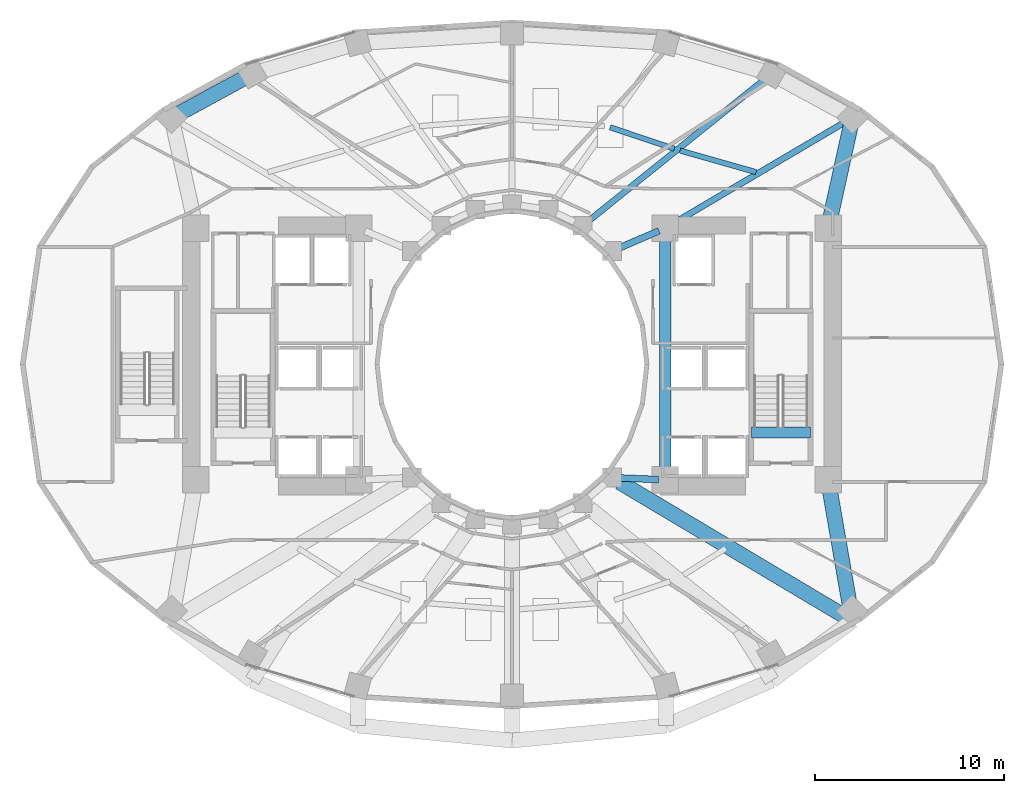
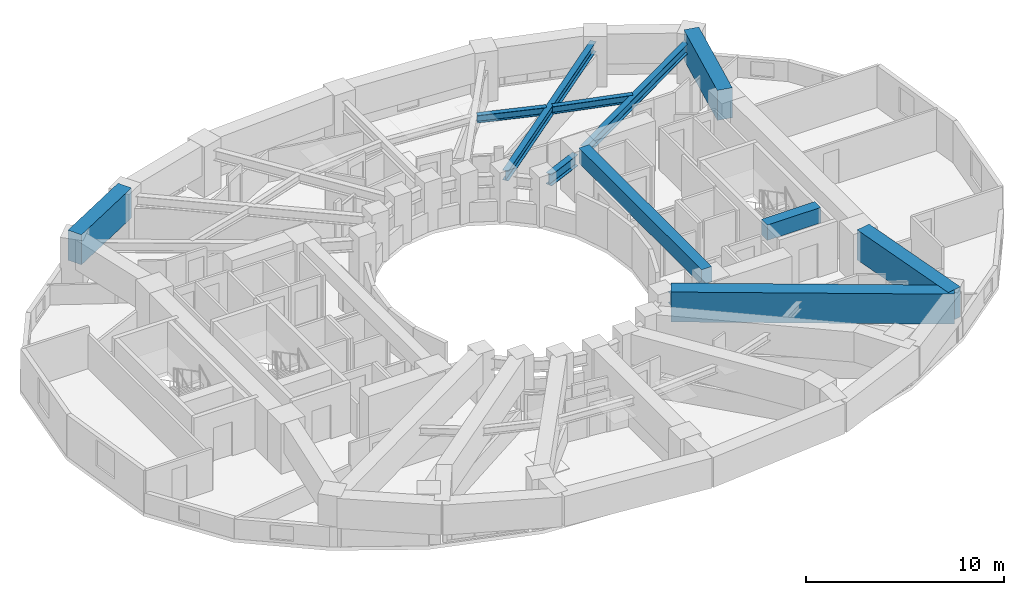
# One storey, part 6 of 17: 12 beams.
"""IFC4 building model written with IfcOpenShell, lengths in metres."""

from ifc_helpers import new_model, si_unit, direction, frame, origin, origin_2d, place, context, subcontext, project, spatial, rectangle, i_section, extrude, material, material_profile, profile_set, type_object, element, save


model = new_model("IFC4")

# Units and contexts
model_context = context("Model", 3, precision=1e-05, world=origin(), true_north=direction((0.0, 1.0)))
body_context = subcontext(model_context, "Body", "Model", "MODEL_VIEW")
ifc_project = project(units=[si_unit("LENGTHUNIT", "METRE"), si_unit("AREAUNIT", "SQUARE_METRE"), si_unit("VOLUMEUNIT", "CUBIC_METRE"), si_unit("PLANEANGLEUNIT", "RADIAN"), si_unit("MASSUNIT", "GRAM", prefix="KILO")], contexts=[model_context])

# Site, building, storey
site_placement = place(None, origin())
site = spatial("IfcSite", under=ifc_project, at=site_placement, CompositionType="ELEMENT")
building_placement = place(site_placement, origin())
building = spatial("IfcBuilding", under=site, at=building_placement, Name="Solvane Sanctuary Tower", CompositionType="ELEMENT")
storey_placement = place(building_placement, frame((0.0, 0.0, 52.39990234375)))
storey = spatial("IfcBuildingStorey", under=building, at=storey_placement, Name="L15", CompositionType="ELEMENT", Elevation=52.39990234375)

# Beams
ifc_material_1 = material(Name="Concrete C70/85", Category="concrete")
ifc_material_profile_1 = material_profile(ifc_material_1, rectangle(XDim=0.60009765625, YDim=0.949951171875, at=origin_2d()), Name="RC600X950")
ifc_profile_set_1 = profile_set([ifc_material_profile_1], Name="Concrete C70/85")
beam_type_1 = type_object("IfcBeamType", Name="Beam B-COUPLE RC600X950", PredefinedType="LINTEL", material=ifc_profile_set_1)
beam_1_placement = place(storey_placement, frame((40.10009765625, 17.35009765625, 2.625), z_axis=(0.0, 1.0, 0.0), x_axis=(-1.0, 0.0, 0.0)))
element("IfcBeam", 1, at=beam_1_placement, inside=storey, type_object=beam_type_1, Name="L15 East Core Coupling Lintel", PredefinedType="LINTEL", context=body_context, shape_type="SweptSolid", body=[
    extrude(rectangle(XDim=0.60009765625, YDim=0.949951171875, at=origin_2d()), origin(), (0.0, 0.0, 1.0), 12.39990234375),
])
beam_2_placement = place(storey_placement, frame((44.64990234375, 19.399169921875, 2.625), z_axis=(1.0, 0.0, 0.0), x_axis=(0.0, 1.0, 0.0)))
element("IfcBeam", 2, at=beam_2_placement, inside=storey, type_object=beam_type_1, Name="L15 ST-2 Stair Floor Landing Trimmer", PredefinedType="LINTEL", context=body_context, shape_type="SweptSolid", body=[
    extrude(rectangle(XDim=0.60009765625, YDim=0.949951171875, at=origin_2d()), origin(), (0.0, 0.0, 1.0), 3.1201171875),
])
ifc_material_2 = material(Name="Steel ASTM A992 Grade 50", Category="steel")
ifc_material_profile_2 = material_profile(ifc_material_2, i_section(OverallWidth=0.323974609375, OverallDepth=0.611083984375, WebThickness=0.0126953125, FlangeThickness=0.01904296875, FilletRadius=0.01611328125, at=origin_2d()), Name="W24X104")
ifc_profile_set_2 = profile_set([ifc_material_profile_2], Name="Steel ASTM A992 Grade 50")
beam_type_2 = type_object("IfcBeamType", Name="Beam B-RAD-Z1 W24X104", PredefinedType="BEAM", material=ifc_profile_set_2)
beam_3_placement = place(storey_placement, frame((40.41015625, 30.3828125, 2.29248046875), z_axis=(0.861291129905, 0.508111788435, 0.0), x_axis=(-0.508111788435, 0.861291129905, 0.0)))
element("IfcBeam", 3, at=beam_3_placement, inside=storey, type_object=beam_type_2, Name="L15 Radial Composite Floor Beam 01", PredefinedType="BEAM", context=body_context, shape_type="SweptSolid", body=[
    extrude(i_section(OverallWidth=0.323974609375, OverallDepth=0.611083984375, WebThickness=0.0126953125, FlangeThickness=0.01904296875, FilletRadius=0.01611328125, at=origin_2d()), origin(), (0.0, 0.0, 1.0), 10.844482421875),
])
beam_4_placement = place(storey_placement, frame((35.9482421875, 30.501953125, 2.29248046875), z_axis=(0.779526985436, 0.626368644631, 0.0), x_axis=(-0.626368644631, 0.779526985436, 0.0)))
element("IfcBeam", 4, at=beam_4_placement, inside=storey, type_object=beam_type_2, Name="L15 Radial Composite Floor Beam 02", PredefinedType="BEAM", context=body_context, shape_type="SweptSolid", body=[
    extrude(i_section(OverallWidth=0.323974609375, OverallDepth=0.611083984375, WebThickness=0.0126953125, FlangeThickness=0.01904296875, FilletRadius=0.01611328125, at=origin_2d()), origin(), (0.0, 0.0, 1.0), 12.2646484375),
])
ifc_material_profile_3 = material_profile(ifc_material_2, i_section(OverallWidth=0.35498046875, OverallDepth=0.695068359375, WebThickness=0.015380859375, FlangeThickness=0.02490234375, FilletRadius=0.01806640625, at=origin_2d()), Name="W27X146")
ifc_profile_set_3 = profile_set([ifc_material_profile_3], Name="Steel ASTM A992 Grade 50")
beam_type_3 = type_object("IfcBeamType", Name="Beam B-RING-IN1 W27X146", PredefinedType="BEAM", material=ifc_profile_set_3)
beam_5_placement = place(storey_placement, frame((37.70654296875, 29.168212890625, 2.25048828125), z_axis=(0.918277080365, 0.395938383687, 0.0), x_axis=(-0.395938383687, 0.918277080365, 0.0)))
element("IfcBeam", 5, at=beam_5_placement, inside=storey, type_object=beam_type_3, Name="L15 Inner Light-Well Ring Beam IC01-CE4", PredefinedType="BEAM", context=body_context, shape_type="SweptSolid", body=[
    extrude(i_section(OverallWidth=0.35498046875, OverallDepth=0.695068359375, WebThickness=0.015380859375, FlangeThickness=0.02490234375, FilletRadius=0.01806640625, at=origin_2d()), origin(), (0.0, 0.0, 1.0), 2.246337890625),
])
beam_6_placement = place(storey_placement, frame((37.74462890625, 16.998291015625, 2.25048828125), z_axis=(0.999130953379, -0.041681386726, 0.0), x_axis=(0.041681386726, 0.999130953379, 0.0)))
element("IfcBeam", 6, at=beam_6_placement, inside=storey, type_object=beam_type_3, Name="L15 Inner Light-Well Ring Beam IC14-CE1", PredefinedType="BEAM", context=body_context, shape_type="SweptSolid", body=[
    extrude(i_section(OverallWidth=0.35498046875, OverallDepth=0.695068359375, WebThickness=0.015380859375, FlangeThickness=0.02490234375, FilletRadius=0.01806640625, at=origin_2d()), origin(), (0.0, 0.0, 1.0), 1.997314453125),
])
ifc_material_profile_4 = material_profile(ifc_material_2, i_section(OverallWidth=0.280029296875, OverallDepth=0.462890625, WebThickness=0.0107421875, FlangeThickness=0.017333984375, FilletRadius=0.013916015625, at=origin_2d()), Name="W18X76")
ifc_profile_set_4 = profile_set([ifc_material_profile_4], Name="Steel ASTM A992 Grade 50")
beam_type_4 = type_object("IfcBeamType", Name="Beam B-SEC-JOIST W18X76", PredefinedType="JOIST", material=ifc_profile_set_4)
beam_7_placement = place(storey_placement, frame((37.186767578125, 35.52880859375, 2.36669921875), z_axis=(0.948259393162, -0.317496650816, 0.0), x_axis=(0.317496650816, 0.948259393162, 0.0)))
element("IfcBeam", 7, at=beam_7_placement, inside=storey, type_object=beam_type_4, Name="L15 Secondary Circumferential Joist 03-02", PredefinedType="JOIST", context=body_context, shape_type="SweptSolid", body=[
    extrude(i_section(OverallWidth=0.280029296875, OverallDepth=0.462890625, WebThickness=0.0107421875, FlangeThickness=0.017333984375, FilletRadius=0.013916015625, at=origin_2d()), origin(), (0.0, 0.0, 1.0), 3.577880859375),
])
beam_8_placement = place(storey_placement, frame((40.879638671875, 34.300048828125, 2.36669921875), z_axis=(0.962003645121, -0.273036603358, 0.0), x_axis=(0.273036603358, 0.962003645121, 0.0)))
element("IfcBeam", 8, at=beam_8_placement, inside=storey, type_object=beam_type_4, Name="L15 Secondary Circumferential Joist 02-01", PredefinedType="JOIST", context=body_context, shape_type="SweptSolid", body=[
    extrude(i_section(OverallWidth=0.280029296875, OverallDepth=0.462890625, WebThickness=0.0107421875, FlangeThickness=0.017333984375, FilletRadius=0.013916015625, at=origin_2d()), origin(), (0.0, 0.0, 1.0), 4.174072265625),
])
ifc_material_profile_5 = material_profile(ifc_material_1, rectangle(XDim=0.800048828125, YDim=1.85009765625, at=origin_2d()), Name="RC800X1850")
ifc_profile_set_5 = profile_set([ifc_material_profile_5], Name="Concrete C70/85")
beam_type_5 = type_object("IfcBeamType", Name="Beam B-XFER-BLK RC800X1850", PredefinedType="BEAM", material=ifc_profile_set_5)
beam_9_placement = place(storey_placement, frame((37.6787109375, 16.777587890625, 2.175048828125), z_axis=(0.859227269414, -0.511594076877, 0.0), x_axis=(0.511594076877, 0.859227269414, 0.0)))
element("IfcBeam", 9, at=beam_9_placement, inside=storey, type_object=beam_type_5, Name="L15 Block-Shift Radial Transfer Girder 14A", PredefinedType="BEAM", context=body_context, shape_type="SweptSolid", body=[
    extrude(rectangle(XDim=0.800048828125, YDim=1.85009765625, at=origin_2d()), origin(), (0.0, 0.0, 1.0), 14.330322265625),
])
beam_10_placement = place(storey_placement, frame((14.00830078125, 36.035400390625, 2.175048828125), z_axis=(0.878074180076, 0.478524538853, 0.0), x_axis=(-0.478524538853, 0.878074180076, 0.0)))
element("IfcBeam", 10, at=beam_10_placement, inside=storey, type_object=beam_type_5, Name="L15 Perimeter Step Transfer Ring NTC07-NTC06", PredefinedType="BEAM", context=body_context, shape_type="SweptSolid", body=[
    extrude(rectangle(XDim=0.800048828125, YDim=1.85009765625, at=origin_2d()), origin(), (0.0, 0.0, 1.0), 4.8564453125),
])
beam_11_placement = place(storey_placement, frame((49.99169921875, 36.035400390625, 2.175048828125), z_axis=(-0.216120353699, -0.976366730648, 0.0), x_axis=(0.976366730648, -0.216120353699, 0.0)))
element("IfcBeam", 11, at=beam_11_placement, inside=storey, type_object=beam_type_5, Name="L15 Perimeter Step Transfer Ring NTC01-CE3", PredefinedType="BEAM", context=body_context, shape_type="SweptSolid", body=[
    extrude(rectangle(XDim=0.800048828125, YDim=1.85009765625, at=origin_2d()), origin(), (0.0, 0.0, 1.0), 5.61669921875),
])
beam_12_placement = place(storey_placement, frame((49.99169921875, 9.4462890625, 2.175048828125), z_axis=(-0.17074768579, 0.985314786146, 0.0), x_axis=(-0.985314786146, -0.17074768579, 0.0)))
element("IfcBeam", 12, at=beam_12_placement, inside=storey, type_object=beam_type_5, Name="L15 Perimeter Step Transfer Ring NTC14-CE2", PredefinedType="BEAM", context=body_context, shape_type="SweptSolid", body=[
    extrude(rectangle(XDim=0.800048828125, YDim=1.85009765625, at=origin_2d()), origin(), (0.0, 0.0, 1.0), 7.204833984375),
])

save(model, "model.ifc")
